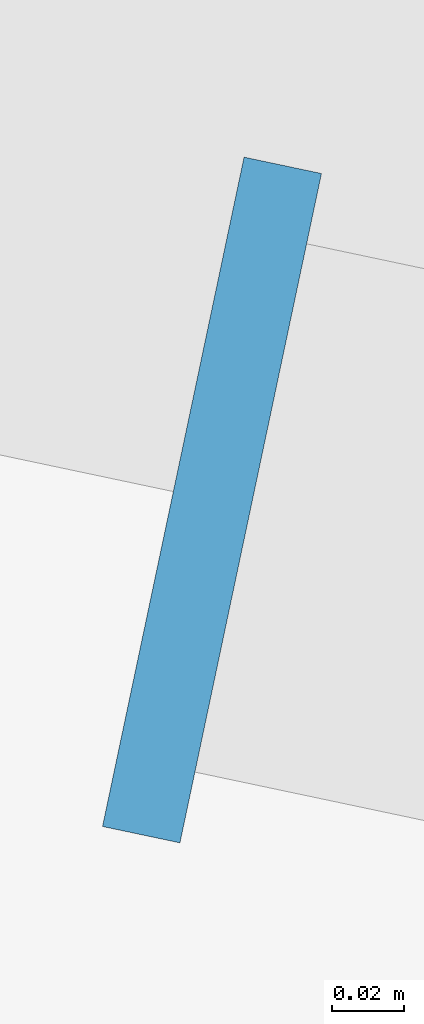
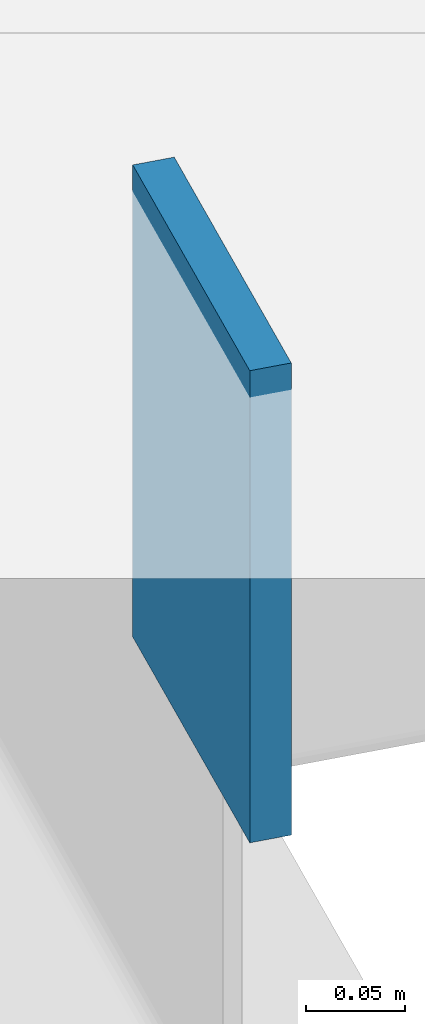
# One storey, part 39 of 90: 1 plate.
"""IFC4 building model written with IfcOpenShell, lengths in metres."""

import ifcopenshell
import ifcopenshell.guid

model = None  # the IFC model being written
_history = None  # IfcOwnerHistory: only IFC2X3 demands one
_inside = {}  # id of a spatial element -> (the spatial element, [elements in it])
_under = {}  # id of a project, library or spatial element -> (it, [spatial elements below it])
_declared = {}  # id of a project -> (the project, [libraries it declares])
_typed = {}  # id of a type object -> (the type object, [elements of that type])
_made_of = {}  # id of a material, layer set ... -> (it, [elements and type objects made of it])


def new_model(schema):
    """Start an empty IFC model of exactly this schema.

    Asked for "IFC4X3", IfcOpenShell would pick the latest addendum, in which some entities
    have other attributes; the version numbers below select the first issue.
    IFC2X3 requires an IfcOwnerHistory on every rooted entity: one is made here for all.
    """
    global model, _history
    if schema == "IFC4X3":
        model = ifcopenshell.file(schema_version=(4, 3, 0, 0))
    else:
        model = ifcopenshell.file(schema=schema)
    _inside.clear()
    _under.clear()
    _declared.clear()
    _typed.clear()
    _made_of.clear()
    _history = None
    if model.schema == "IFC2X3":
        org = make("IfcOrganization", Name="unknown")
        user = make(
            "IfcPersonAndOrganization",
            ThePerson=make("IfcPerson", FamilyName="unknown"),
            TheOrganization=org,
        )
        app = make(
            "IfcApplication",
            ApplicationDeveloper=org,
            Version="unknown",
            ApplicationFullName="unknown",
            ApplicationIdentifier="unknown",
        )
        _history = make(
            "IfcOwnerHistory",
            OwningUser=user,
            OwningApplication=app,
            ChangeAction="ADDED",
            CreationDate=0,
        )
    return model


def make(cls, **values):
    """One entity of the class cls with the attributes given. An attribute that is None is left unset."""
    return model.create_entity(
        cls, **{name: value for name, value in values.items() if value is not None}
    )


def rooted(cls, **values):
    """An entity with a GlobalId (a new one), such as an element, a storey or a relation."""
    return make(cls, GlobalId=ifcopenshell.guid.new(), OwnerHistory=_history, **values)


def si_unit(unit_type, name, prefix=None):
    """IfcSIUnit, for example si_unit("LENGTHUNIT", "METRE", prefix="MILLI")."""
    return make("IfcSIUnit", UnitType=unit_type, Prefix=prefix, Name=name)


def assignment(units):
    """IfcUnitAssignment: the units of a project."""
    return None if units is None else make("IfcUnitAssignment", Units=units)


def point(xyz):
    """IfcCartesianPoint."""
    return None if xyz is None else make("IfcCartesianPoint", Coordinates=xyz)


def direction(xyz):
    """IfcDirection."""
    return None if xyz is None else make("IfcDirection", DirectionRatios=xyz)


def frame(location, z_axis=None, x_axis=None):
    """IfcAxis2Placement3D, a coordinate frame: its origin and axes. An axis left out is left unset."""
    return make(
        "IfcAxis2Placement3D",
        Location=point(location),
        Axis=direction(z_axis),
        RefDirection=direction(x_axis),
    )


def frame_2d(location, x_axis=None):
    """IfcAxis2Placement2D, a coordinate frame in the plane: its origin and x axis."""
    return make(
        "IfcAxis2Placement2D", Location=point(location), RefDirection=direction(x_axis)
    )


def origin():
    """The frame at (0, 0, 0) with its axes left unset."""
    return frame((0.0, 0.0, 0.0))


def origin_2d():
    """The frame at (0, 0) in the plane with its x axis left unset."""
    return frame_2d((0.0, 0.0))


def place(relative_to, where):
    """IfcLocalPlacement: puts the frame where relative to a parent placement (None: the world)."""
    return make(
        "IfcLocalPlacement", PlacementRelTo=relative_to, RelativePlacement=where
    )


def context(
    kind, dimensions, precision=None, world=None, true_north=None, identifier=None
):
    """IfcGeometricRepresentationContext, for example the 3D "Model" context."""
    return make(
        "IfcGeometricRepresentationContext",
        ContextIdentifier=identifier,
        ContextType=kind,
        CoordinateSpaceDimension=dimensions,
        Precision=precision,
        WorldCoordinateSystem=world,
        TrueNorth=true_north,
    )


def subcontext(parent, identifier, kind, view, scale=None):
    """IfcGeometricRepresentationSubContext, for example "Body" below "Model"."""
    return make(
        "IfcGeometricRepresentationSubContext",
        ContextIdentifier=identifier,
        ContextType=kind,
        ParentContext=parent,
        TargetScale=scale,
        TargetView=view,
    )


def project(units=None, contexts=None):
    """IfcProject with its units and contexts."""
    return rooted(
        "IfcProject",
        Name="project",
        RepresentationContexts=contexts,
        UnitsInContext=assignment(units),
    )


def spatial(cls, under=None, at=None, **own):
    """A site, building, storey or space (cls), placed at a placement, below another one or the project."""
    s = rooted(cls, ObjectPlacement=at, **own)
    if under is not None:
        _under.setdefault(under.id(), (under, []))[1].append(s)
    return s


def profile(cls, at=None, kind="AREA", **sizes):
    """A parametric profile (cls). Its sizes go by their IFC names, for example OverallWidth=200.0."""
    return make(cls, ProfileType=kind, Position=at, **sizes)


def rectangle(**sizes):
    """IfcRectangleProfileDef."""
    return profile("IfcRectangleProfileDef", **sizes)


def extrude(swept, where, along, depth):
    """IfcExtrudedAreaSolid: the profile swept, set in the frame where, extruded along a direction by depth."""
    return make(
        "IfcExtrudedAreaSolid",
        SweptArea=swept,
        Position=where,
        ExtrudedDirection=direction(along),
        Depth=depth,
    )


def shape(context_of_items, identifier, shape_type, items):
    """IfcShapeRepresentation: the items that make up one representation, for example the "Body"."""
    return make(
        "IfcShapeRepresentation",
        ContextOfItems=context_of_items,
        RepresentationIdentifier=identifier,
        RepresentationType=shape_type,
        Items=items,
    )


def material(Name=None, Category=None):
    """IfcMaterial."""
    return make("IfcMaterial", Name=Name, Category=Category)


def layer(
    of_material, thickness, ventilated=None, Name=None, Category=None, Priority=None
):
    """IfcMaterialLayer: one layer of a wall or slab, of a material (None: an air gap)."""
    return make(
        "IfcMaterialLayer",
        Material=of_material,
        LayerThickness=thickness,
        IsVentilated=ventilated,
        Name=Name,
        Category=Category,
        Priority=Priority,
    )


def layer_set(layers, Name=None):
    """IfcMaterialLayerSet."""
    return make("IfcMaterialLayerSet", MaterialLayers=layers, LayerSetName=Name)


def made_of(thing, what):
    """Note that an element or type object is made of a material, layer set ...; save() writes the relation."""
    if what is not None:
        _made_of.setdefault(what.id(), (what, []))[1].append(thing)
    return thing


def type_object(cls, material=None, **own):
    """A type object (cls), such as IfcWallType, which elements share."""
    return made_of(rooted(cls, **own), material)


def element(
    cls,
    number,
    at=None,
    inside=None,
    cuts=None,
    type_object=None,
    material=None,
    context=None,
    identifier="Body",
    shape_type=None,
    held_by="IfcProductDefinitionShape",
    body=None,
    shapes=None,
    **own,
):
    """One element of the class cls, such as IfcWall. Its Tag is "e" and its number.

    at: its placement. inside: the storey or other place that contains it. cuts: it is an
    opening in that element (IfcRelVoidsElement). A single representation is given by context,
    identifier, shape_type and body (its items); several are given by shapes. held_by: the class
    of the entity that holds the representations. save() writes the other relations.
    """
    e = rooted(cls, Tag="e%d" % number, ObjectPlacement=at, **own)
    if body is not None:
        shapes = [shape(context, identifier, shape_type, body)]
    if shapes is not None:
        e.Representation = make(held_by, Representations=shapes)
    if inside is not None:
        _inside.setdefault(inside.id(), (inside, []))[1].append(e)
    if cuts is not None:
        rooted(
            "IfcRelVoidsElement", RelatingBuildingElement=cuts, RelatedOpeningElement=e
        )
    if type_object is not None:
        _typed.setdefault(type_object.id(), (type_object, []))[1].append(e)
    return made_of(e, material)


def aggregate(whole, parts):
    """IfcRelAggregates: a whole, such as a stair, and the parts it consists of."""
    return rooted("IfcRelAggregates", RelatingObject=whole, RelatedObjects=parts)


def save(model, path):
    """Write the relations noted so far, then the file.

    IfcRelAggregates (storeys below a building ...), IfcRelContainedInSpatialStructure (elements
    in a storey), IfcRelDefinesByType, IfcRelAssociatesMaterial and IfcRelDeclares: one each for
    every whole, place, type object, material and project.
    """
    for whole, parts in _under.values():
        aggregate(whole, parts)
    for where, things in _inside.values():
        rooted(
            "IfcRelContainedInSpatialStructure",
            RelatedElements=things,
            RelatingStructure=where,
        )
    for kind, things in _typed.values():
        rooted("IfcRelDefinesByType", RelatedObjects=things, RelatingType=kind)
    for what, things in _made_of.values():
        rooted("IfcRelAssociatesMaterial", RelatedObjects=things, RelatingMaterial=what)
    for by, libraries in _declared.values():
        rooted("IfcRelDeclares", RelatingContext=by, RelatedDefinitions=libraries)
    model.write(path)


model = new_model("IFC4")

# Units and contexts
model_context = context("Model", 3, precision=1e-05, world=origin(), true_north=direction((0.0, 1.0)))
body_context = subcontext(model_context, "Body", "Model", "MODEL_VIEW")
ifc_project = project(units=[si_unit("LENGTHUNIT", "METRE"), si_unit("AREAUNIT", "SQUARE_METRE"), si_unit("VOLUMEUNIT", "CUBIC_METRE"), si_unit("PLANEANGLEUNIT", "RADIAN"), si_unit("MASSUNIT", "GRAM", prefix="KILO")], contexts=[model_context])

# Site, building, storey
site_placement = place(None, origin())
site = spatial("IfcSite", under=ifc_project, at=site_placement, CompositionType="ELEMENT")
building_placement = place(site_placement, origin())
building = spatial("IfcBuilding", under=site, at=building_placement, Name="Wrenclough Park School", CompositionType="ELEMENT")
storey_placement = place(building_placement, frame((0.0, 0.0, 8.39990234375)))
storey = spatial("IfcBuildingStorey", under=building, at=storey_placement, Name="L02", CompositionType="ELEMENT", Elevation=8.39990234375)

# Plate
ifc_material = material(Name="Structural steel S355", Category="steel")
ifc_layer = layer(ifc_material, 0.2900390625)
ifc_layer_set = layer_set([ifc_layer], Name="Structural steel S355")
plate_type = type_object("IfcPlateType", Name="STR-PL-EP250", PredefinedType="SHEET", material=ifc_layer_set)
plate_placement = place(storey_placement, frame((99.28173828125, 30.768798828125, -0.5), z_axis=(0.0, 0.0, 1.0), x_axis=(0.978364788978, -0.206887263232, 0.0)))
element("IfcPlate", 1, at=plate_placement, inside=storey, type_object=plate_type, Name="W12 eave fascia R1 start sealing end-cap plate", PredefinedType="SHEET", context=body_context, shape_type="SweptSolid", body=[
    extrude(rectangle(XDim=0.02197265625, YDim=0.18994140625, at=origin_2d()), origin(), (0.0, 0.0, 1.0), 0.2900390625),
])

save(model, "model.ifc")
